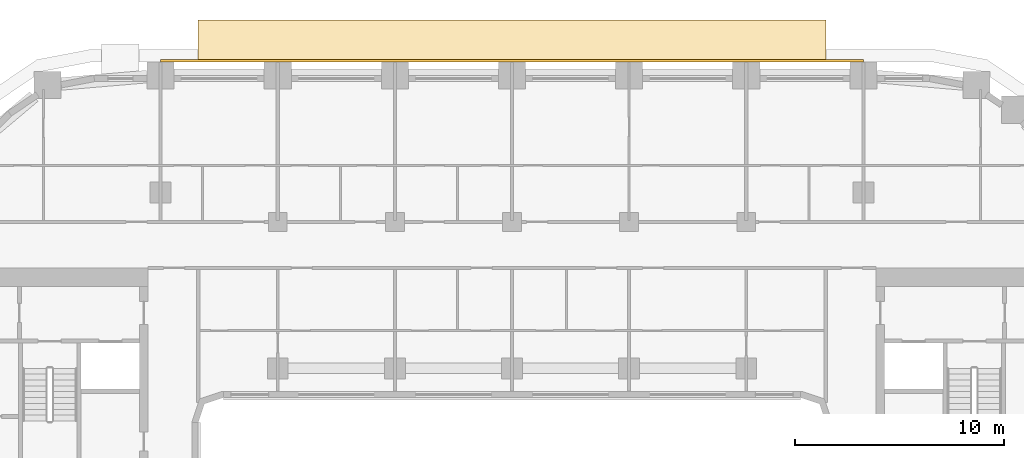
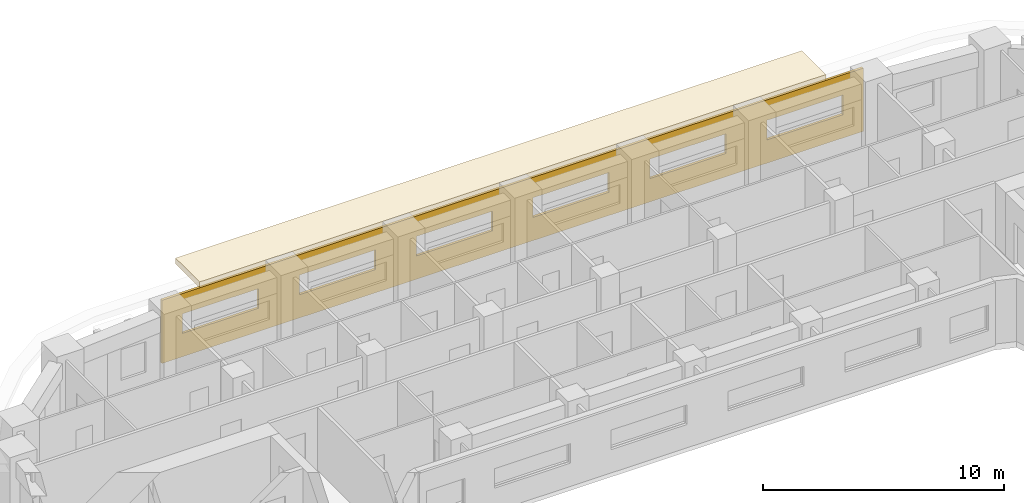
# One storey, part 21 of 22: 2 coverings.
"""IFC4 building model written with IfcOpenShell, lengths in metres."""

from ifc_helpers import new_model, si_unit, direction, frame, origin, place, context, subcontext, project, spatial, polyline, outline, extrude, material, layer, layer_set, type_object, element, save


model = new_model("IFC4")

# Units and contexts
model_context = context("Model", 3, precision=1e-05, world=origin(), true_north=direction((0.0, 1.0)))
body_context = subcontext(model_context, "Body", "Model", "MODEL_VIEW")
ifc_project = project(units=[si_unit("LENGTHUNIT", "METRE"), si_unit("AREAUNIT", "SQUARE_METRE"), si_unit("VOLUMEUNIT", "CUBIC_METRE"), si_unit("PLANEANGLEUNIT", "RADIAN"), si_unit("MASSUNIT", "GRAM", prefix="KILO")], contexts=[model_context])

# Site, building, storey
site_placement = place(None, origin())
site = spatial("IfcSite", under=ifc_project, at=site_placement, CompositionType="ELEMENT")
building_placement = place(site_placement, origin())
building = spatial("IfcBuilding", under=site, at=building_placement, Name="Kiln Ring Residences", CompositionType="ELEMENT")
storey_placement = place(building_placement, frame((0.0, 0.0, 97.300048828125)))
storey = spatial("IfcBuildingStorey", under=building, at=storey_placement, Name="L24", CompositionType="ELEMENT", Elevation=97.300048828125)

# Coverings
ifc_material_1 = material(Name="Brick masonry, dark clay brick", Category="masonry")
ifc_layer_1 = layer(ifc_material_1, 0.1201171875)
ifc_layer_set_1 = layer_set([ifc_layer_1], Name="RAINSCREEN PANEL 120")
covering_type_1 = type_object("IfcCoveringType", Name="RAINSCREEN PANEL 120", PredefinedType="CLADDING", material=ifc_layer_set_1)
covering_1_placement = place(storey_placement, frame((16.800048828125, 23.110107421875, 0.0), z_axis=(0.0, 0.0, 1.0), x_axis=(-1.0, 0.0, 0.0)))
element("IfcCovering", 1, at=covering_1_placement, inside=storey, type_object=covering_type_1, Name="RAINSCREEN L24", PredefinedType="CLADDING", context=body_context, shape_type="SweptSolid", body=[
    extrude(outline(polyline([(0.0, 0.0), (33.60009765625, 0.0), (33.60009765625, 3.199951171875), (0.0, 3.199951171875), (0.0, 0.0)]), holes=[polyline([(4.6201171875, 1.179931640625), (4.6201171875, 2.169921875), (0.97998046875, 2.169921875), (0.97998046875, 1.179931640625), (4.6201171875, 1.179931640625)]), polyline([(6.580078125, 1.179931640625), (10.219970703125, 1.179931640625), (10.219970703125, 2.169921875), (6.580078125, 2.169921875), (6.580078125, 1.179931640625)]), polyline([(12.179931640625, 1.179931640625), (15.820068359375, 1.179931640625), (15.820068359375, 2.169921875), (12.179931640625, 2.169921875), (12.179931640625, 1.179931640625)]), polyline([(21.419921875, 1.179931640625), (21.419921875, 2.169921875), (17.780029296875, 2.169921875), (17.780029296875, 1.179931640625), (21.419921875, 1.179931640625)]), polyline([(23.3798828125, 1.179931640625), (27.02001953125, 1.179931640625), (27.02001953125, 2.169921875), (23.3798828125, 2.169921875), (23.3798828125, 1.179931640625)]), polyline([(28.97998046875, 1.179931640625), (32.6201171875, 1.179931640625), (32.6201171875, 2.169921875), (28.97998046875, 2.169921875), (28.97998046875, 1.179931640625)])]), frame((0.0, 0.06005859375, 0.0), z_axis=(0.0, -1.0, 0.0), x_axis=(1.0, 0.0, 0.0)), (0.0, 0.0, 1.0), 0.1201171875),
])
ifc_material_2 = material(Name="Black powder-coated steel", Category="steel")
ifc_layer_2 = layer(ifc_material_2, 0.300048828125)
ifc_layer_set_2 = layer_set([ifc_layer_2], Name="SUNSHADE BAND 2000")
covering_type_2 = type_object("IfcCoveringType", Name="SUNSHADE BAND 2000", PredefinedType="CLADDING", material=ifc_layer_set_2)
covering_2_placement = place(storey_placement, frame((0.0, 0.0, 3.199951171875)))
element("IfcCovering", 2, at=covering_2_placement, inside=storey, type_object=covering_type_2, Name="SUNSHADE BAND L24", PredefinedType="CLADDING", context=body_context, shape_type="SweptSolid", body=[
    extrude(outline(polyline([(15.0, 25.050048828125), (-15.0, 25.050048828125), (-15.0, 23.050048828125), (15.0, 23.050048828125), (15.0, 25.050048828125)])), origin(), (0.0, 0.0, 1.0), 0.300048828125),
])

save(model, "model.ifc")
